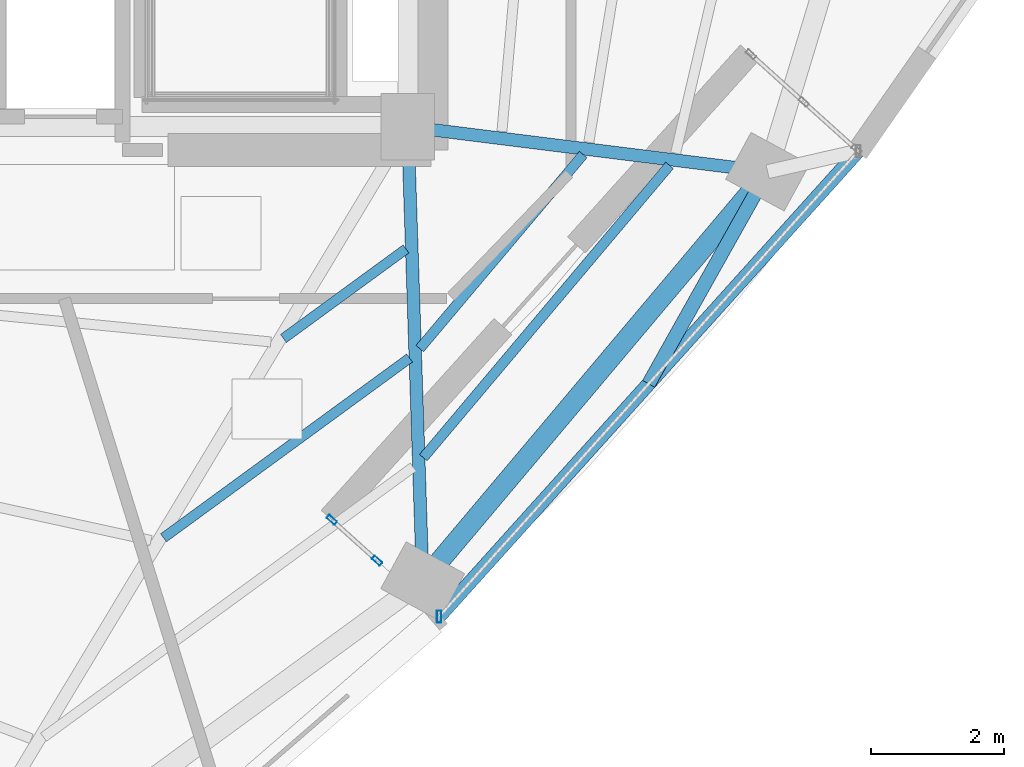
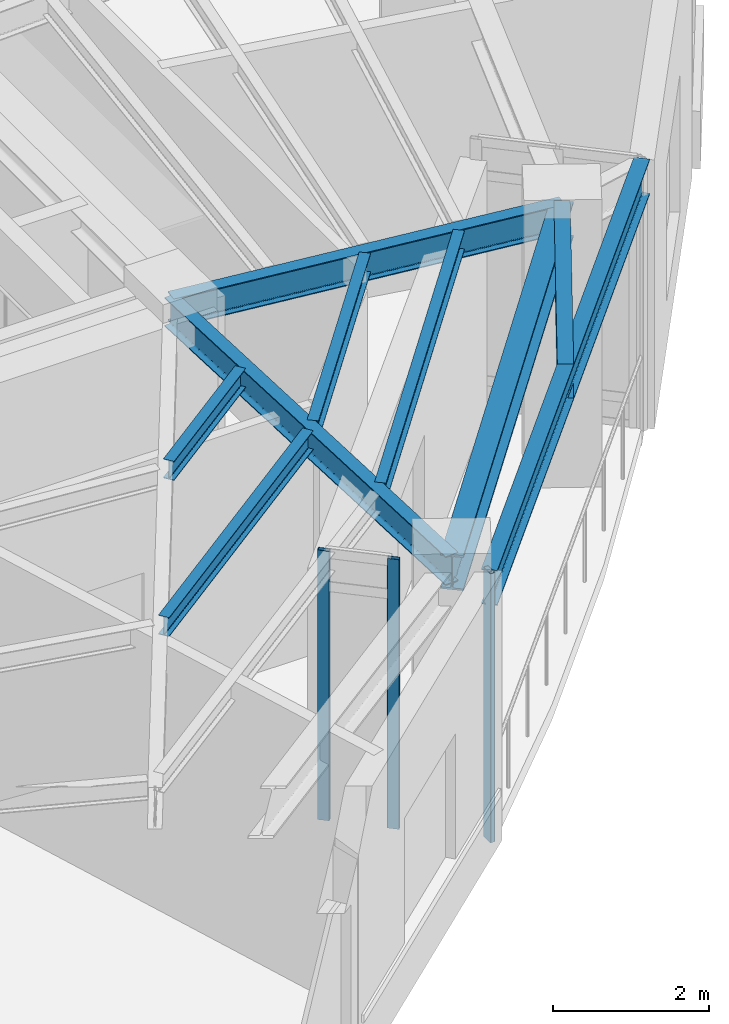
# One storey, part 4 of 18: 9 beams, 3 members, 1 element without a shape of its own.
"""IFC4 building model written with IfcOpenShell, lengths in metres."""

from ifc_helpers import new_model, si_unit, direction, frame, origin, origin_2d, place, context, subcontext, project, spatial, hollow_rectangle, i_section, extrude, material, layer, layer_set, material_profile, profile_set, type_object, element, aggregate, save


model = new_model("IFC4")

# Units and contexts
model_context = context("Model", 3, precision=1e-05, world=origin(), true_north=direction((0.0, 1.0)))
body_context = subcontext(model_context, "Body", "Model", "MODEL_VIEW")
ifc_project = project(units=[si_unit("LENGTHUNIT", "METRE"), si_unit("AREAUNIT", "SQUARE_METRE"), si_unit("VOLUMEUNIT", "CUBIC_METRE"), si_unit("PLANEANGLEUNIT", "RADIAN"), si_unit("MASSUNIT", "GRAM", prefix="KILO")], contexts=[model_context])

# Site, building, storey
site_placement = place(None, origin())
site = spatial("IfcSite", under=ifc_project, at=site_placement, CompositionType="ELEMENT")
building_placement = place(site_placement, origin())
building = spatial("IfcBuilding", under=site, at=building_placement, Name="Ndelora Gate Hotel", CompositionType="ELEMENT")
storey_placement = place(building_placement, frame((0.0, 0.0, 173.75)))
storey = spatial("IfcBuildingStorey", under=building, at=storey_placement, Name="L43", CompositionType="ELEMENT", Elevation=173.75)

# Beams
ifc_material_1 = material(Name="Steel S355", Category="steel")
ifc_material_profile_1 = material_profile(ifc_material_1, i_section(OverallWidth=0.14990234375, OverallDepth=0.300048828125, WebThickness=0.007080078125, FlangeThickness=0.0107421875, FilletRadius=0.014892578125, at=origin_2d()), Name="IPE 300")
ifc_profile_set_1 = profile_set([ifc_material_profile_1], Name="Steel S355")
beam_type_1 = type_object("IfcBeamType", Name="BM-JST-300", PredefinedType="JOIST", material=ifc_profile_set_1)
beam_1_placement = place(storey_placement, frame((6.134521484375, -9.77880859375, 4.06005859375), z_axis=(0.80739897839, 0.590005838696, 0.0), x_axis=(-0.590005838696, 0.80739897839, 0.0)))
element("IfcBeam", 1, at=beam_1_placement, inside=storey, type_object=beam_type_1, Name="L43 Secondary Composite Floor Joist IN-5", PredefinedType="JOIST", context=body_context, shape_type="SweptSolid", body=[
    extrude(i_section(OverallWidth=0.14990234375, OverallDepth=0.300048828125, WebThickness=0.007080078125, FlangeThickness=0.0107421875, FilletRadius=0.014892578125, at=origin_2d()), origin(), (0.0, 0.0, 1.0), 2.277587890625),
])
beam_2_placement = place(storey_placement, frame((4.33447265625, -12.77001953125, 4.06005859375), z_axis=(0.807439047151, 0.589951002318, 0.0), x_axis=(-0.589951002318, 0.807439047151, 0.0)))
element("IfcBeam", 2, at=beam_2_placement, inside=storey, type_object=beam_type_1, Name="L43 Secondary Composite Floor Joist MID-5", PredefinedType="JOIST", context=body_context, shape_type="SweptSolid", body=[
    extrude(i_section(OverallWidth=0.14990234375, OverallDepth=0.300048828125, WebThickness=0.007080078125, FlangeThickness=0.0107421875, FilletRadius=0.014892578125, at=origin_2d()), origin(), (0.0, 0.0, 1.0), 4.5732421875),
])
beam_3_placement = place(storey_placement, frame((8.1796875, -9.9296875, 4.06005859375), z_axis=(0.644319387893, 0.764756514444, 0.0), x_axis=(-0.764756514444, 0.644319387893, 0.0)))
element("IfcBeam", 3, at=beam_3_placement, inside=storey, type_object=beam_type_1, Name="L43 Secondary Composite Floor Joist MID-6", PredefinedType="JOIST", context=body_context, shape_type="SweptSolid", body=[
    extrude(i_section(OverallWidth=0.14990234375, OverallDepth=0.300048828125, WebThickness=0.007080078125, FlangeThickness=0.0107421875, FilletRadius=0.014892578125, at=origin_2d()), origin(), (0.0, 0.0, 1.0), 3.806884765625),
])
beam_4_placement = place(storey_placement, frame((8.2333984375, -11.56640625, 4.06005859375), z_axis=(0.644324492463, 0.764752213735, 0.0), x_axis=(-0.764752213735, 0.644324492463, 0.0)))
element("IfcBeam", 4, at=beam_4_placement, inside=storey, type_object=beam_type_1, Name="L43 Secondary Composite Floor Joist OUT-6", PredefinedType="JOIST", context=body_context, shape_type="SweptSolid", body=[
    extrude(i_section(OverallWidth=0.14990234375, OverallDepth=0.300048828125, WebThickness=0.007080078125, FlangeThickness=0.0107421875, FilletRadius=0.014892578125, at=origin_2d()), origin(), (0.0, 0.0, 1.0), 5.735107421875),
])
ifc_material_profile_2 = material_profile(ifc_material_1, i_section(OverallWidth=0.18994140625, OverallDepth=0.449951171875, WebThickness=0.009521484375, FlangeThickness=0.0146484375, FilletRadius=0.02099609375, at=origin_2d()), Name="IPE 450")
ifc_profile_set_2 = profile_set([ifc_material_profile_2], Name="Steel S355")
beam_type_2 = type_object("IfcBeamType", Name="BM-RAD-450", PredefinedType="BEAM", material=ifc_profile_set_2)
beam_5_placement = place(storey_placement, frame((8.0, -6.60009765625, 3.985107421875), z_axis=(0.032809705109, -0.999461616697, 0.0), x_axis=(0.999461616697, 0.032809705109, 0.0)))
element("IfcBeam", 5, at=beam_5_placement, inside=storey, type_object=beam_type_2, Name="L43 Radial Floor Girder 6", PredefinedType="BEAM", context=body_context, shape_type="SweptSolid", body=[
    extrude(i_section(OverallWidth=0.18994140625, OverallDepth=0.449951171875, WebThickness=0.009521484375, FlangeThickness=0.0146484375, FilletRadius=0.02099609375, at=origin_2d()), origin(), (0.0, 0.0, 1.0), 6.823486328125),
])
beam_6_placement = place(storey_placement, frame((8.0, -6.60009765625, 3.985107421875), z_axis=(0.992266830725, -0.124123070552, 0.0), x_axis=(0.124123070552, 0.992266830725, 0.0)))
element("IfcBeam", 6, at=beam_6_placement, inside=storey, type_object=beam_type_2, Name="L43 Radial Floor Girder 7", PredefinedType="BEAM", context=body_context, shape_type="SweptSolid", body=[
    extrude(i_section(OverallWidth=0.18994140625, OverallDepth=0.449951171875, WebThickness=0.009521484375, FlangeThickness=0.0146484375, FilletRadius=0.02099609375, at=origin_2d()), origin(), (0.0, 0.0, 1.0), 5.4423828125),
])
ifc_material_profile_3 = material_profile(ifc_material_1, i_section(OverallWidth=0.2099609375, OverallDepth=0.550048828125, WebThickness=0.010986328125, FlangeThickness=0.01708984375, FilletRadius=0.02392578125, at=origin_2d()), Name="IPE 550")
ifc_profile_set_3 = profile_set([ifc_material_profile_3], Name="Steel S355")
beam_type_3 = type_object("IfcBeamType", Name="BM-RAD-550", PredefinedType="BEAM", material=ifc_profile_set_3)
beam_7_placement = place(storey_placement, frame((13.400390625, -7.275634765625, 3.93505859375), z_axis=(-0.489177745076, -0.872184116871, 0.0), x_axis=(0.872184116871, -0.489177745076, 0.0)))
element("IfcBeam", 7, at=beam_7_placement, inside=storey, type_object=beam_type_3, Name="L43 Sky-Garden Loggia Column Bracket 2", PredefinedType="BEAM", context=body_context, shape_type="SweptSolid", body=[
    extrude(i_section(OverallWidth=0.2099609375, OverallDepth=0.550048828125, WebThickness=0.010986328125, FlangeThickness=0.01708984375, FilletRadius=0.02392578125, at=origin_2d()), origin(), (0.0, 0.0, 1.0), 3.6494140625),
])
beam_8_placement = place(storey_placement, frame((8.470458984375, -13.951171875, 3.93505859375), z_axis=(0.669139779012, 0.743136566281, 0.0), x_axis=(-0.743136566281, 0.669139779012, 0.0)))
element("IfcBeam", 8, at=beam_8_placement, inside=storey, type_object=beam_type_3, Name="L43 Sky-Garden Weather Canopy Edge Beam", PredefinedType="BEAM", context=body_context, shape_type="SweptSolid", body=[
    extrude(i_section(OverallWidth=0.2099609375, OverallDepth=0.550048828125, WebThickness=0.010986328125, FlangeThickness=0.01708984375, FilletRadius=0.02392578125, at=origin_2d()), origin(), (0.0, 0.0, 1.0), 9.39990234375),
])
ifc_material_profile_4 = material_profile(ifc_material_1, i_section(OverallWidth=0.300048828125, OverallDepth=0.550048828125, WebThickness=0.014892578125, FlangeThickness=0.029052734375, FilletRadius=0.027099609375, at=origin_2d()), Name="HEB 550")
ifc_profile_set_4 = profile_set([ifc_material_profile_4], Name="Steel S355")
beam_type_4 = type_object("IfcBeamType", Name="BM-RING-550", PredefinedType="SPANDREL", material=ifc_profile_set_4)
beam_9_placement = place(storey_placement, frame((8.223876953125, -13.419921875, 3.93505859375), z_axis=(0.644308845181, 0.764765396721, 0.0), x_axis=(-0.764765396721, 0.644308845181, 0.0)))
element("IfcBeam", 9, at=beam_9_placement, inside=storey, type_object=beam_type_4, Name="L43 Perimeter Spandrel Girder 6", PredefinedType="SPANDREL", context=body_context, shape_type="SweptSolid", body=[
    extrude(i_section(OverallWidth=0.300048828125, OverallDepth=0.550048828125, WebThickness=0.014892578125, FlangeThickness=0.029052734375, FilletRadius=0.027099609375, at=origin_2d()), origin(), (0.0, 0.0, 1.0), 8.0341796875),
])

# Curtain wall, members
ifc_material_2 = material(Name="Bronze Anodised Unitised Aluminium and Low-E Glass", Category="aluminium")
ifc_layer = layer(ifc_material_2, 0.199951171875)
ifc_layer_set = layer_set([ifc_layer], Name="Bronze Anodised Unitised Aluminium and Low-E Glass")
curtain_wall_type = type_object("IfcCurtainWallType", Name="CW-SYS-3", PredefinedType="NOTDEFINED", material=ifc_layer_set)
curtain_wall_placement = place(storey_placement, origin())
curtain_wall = element("IfcCurtainWall", 10, at=curtain_wall_placement, inside=storey, type_object=curtain_wall_type, Name="L43 Sky-Garden Loggia Side Curtain Wall CW3-1", PredefinedType="NOTDEFINED")
ifc_material_3 = material(Name="Bronze Anodised Aluminium 6063-T6", Category="aluminium")
ifc_material_profile_5 = material_profile(ifc_material_3, hollow_rectangle(XDim=0.06494140625, YDim=0.159912109375, WallThickness=0.00390625, InnerFilletRadius=0.00390625, OuterFilletRadius=0.008056640625, at=origin_2d()), Name="ALU 160x65x4")
ifc_profile_set_5 = profile_set([ifc_material_profile_5], Name="Bronze Anodised Aluminium 6063-T6")
member_type_1 = type_object("IfcMemberType", Name="MB-CW-MUL150", PredefinedType="MULLION", material=ifc_profile_set_5)
member_1_placement = place(storey_placement, frame((6.859619140625, -12.500732421875, -0.00390625), z_axis=(0.0, 0.0, 1.0), x_axis=(0.669128292476, 0.743146908901, 0.0)))
member_1 = element("IfcMember", 11, at=member_1_placement, type_object=member_type_1, Name="CW3 mullion 1", PredefinedType="MULLION", context=body_context, shape_type="SweptSolid", body=[
    extrude(hollow_rectangle(XDim=0.06494140625, YDim=0.159912109375, WallThickness=0.00390625, InnerFilletRadius=0.00390625, OuterFilletRadius=0.008056640625, at=origin_2d()), origin(), (0.0, 0.0, 1.0), 4.218017578125),
])
member_2_placement = place(storey_placement, frame((7.5390625, -13.11279296875, -0.00390625), z_axis=(0.0, 0.0, 1.0), x_axis=(0.669128292476, 0.743146908901, 0.0)))
member_2 = element("IfcMember", 12, at=member_2_placement, type_object=member_type_1, Name="CW3 mullion 2", PredefinedType="MULLION", context=body_context, shape_type="SweptSolid", body=[
    extrude(hollow_rectangle(XDim=0.06494140625, YDim=0.159912109375, WallThickness=0.00390625, InnerFilletRadius=0.00390625, OuterFilletRadius=0.008056640625, at=origin_2d()), origin(), (0.0, 0.0, 1.0), 4.218017578125),
])
ifc_material_profile_6 = material_profile(ifc_material_3, hollow_rectangle(XDim=0.070068359375, YDim=0.179931640625, WallThickness=0.0048828125, InnerFilletRadius=0.0048828125, OuterFilletRadius=0.010009765625, at=origin_2d()), Name="ALU 180x70x5")
ifc_profile_set_6 = profile_set([ifc_material_profile_6], Name="Bronze Anodised Aluminium 6063-T6")
member_type_2 = type_object("IfcMemberType", Name="MB-CW-MUL180", PredefinedType="MULLION", material=ifc_profile_set_6)
member_3_placement = place(storey_placement, frame((8.470458984375, -13.951171875, 0.0), z_axis=(0.0, 0.0, 1.0), x_axis=(1.0, 0.0, 0.0)))
member_3 = element("IfcMember", 13, at=member_3_placement, type_object=member_type_2, Name="L43 Sky-Garden Loggia Corner Mullion Post 1", PredefinedType="MULLION", context=body_context, shape_type="SweptSolid", body=[
    extrude(hollow_rectangle(XDim=0.070068359375, YDim=0.179931640625, WallThickness=0.0048828125, InnerFilletRadius=0.0048828125, OuterFilletRadius=0.010009765625, at=origin_2d()), origin(), (0.0, 0.0, 1.0), 4.2099609375),
])
aggregate(curtain_wall, [member_1, member_2, member_3])

save(model, "model.ifc")
